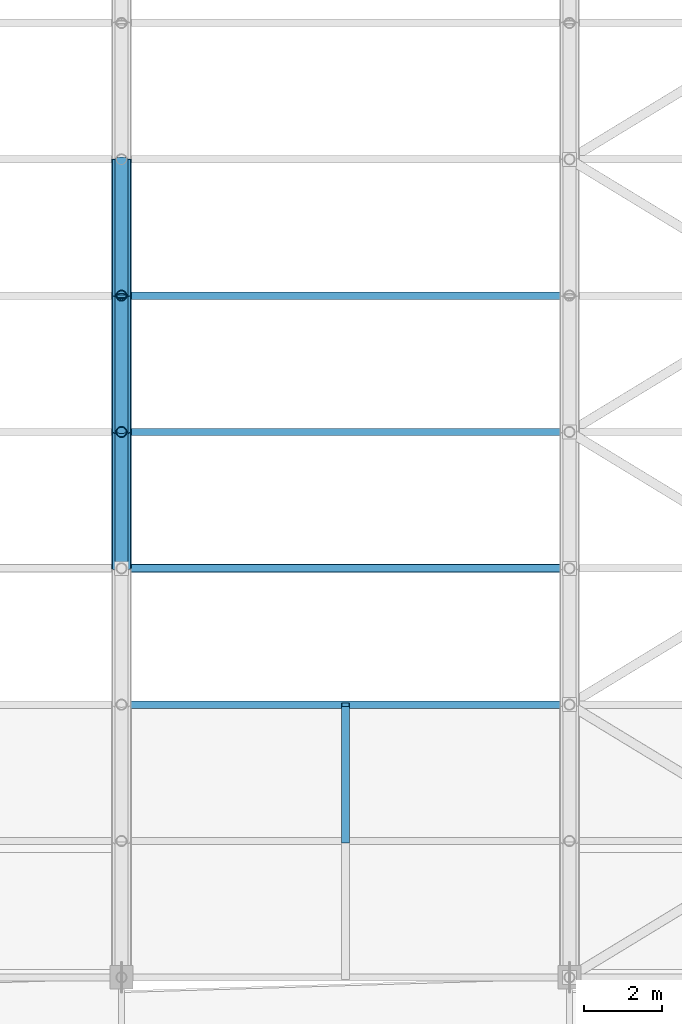
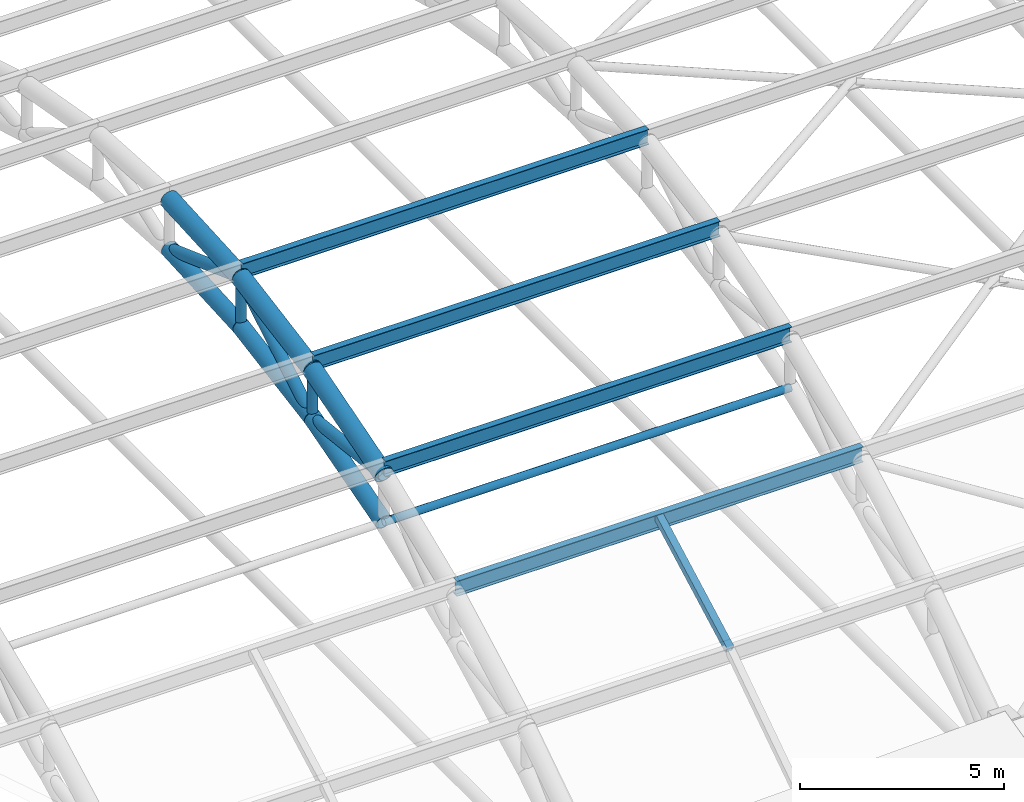
# One storey, part 98 of 154: 17 members.
"""IFC4 building model written with IfcOpenShell, lengths in metres."""

from ifc_helpers import new_model, si_unit, direction, frame, origin, origin_2d, place, context, subcontext, project, spatial, hollow_rectangle, hollow_circle, i_section, extrude, material, material_profile, profile_set, type_object, element, save


model = new_model("IFC4")

# Units and contexts
model_context = context("Model", 3, precision=1e-05, world=origin(), true_north=direction((0.0, 1.0)))
body_context = subcontext(model_context, "Body", "Model", "MODEL_VIEW")
ifc_project = project(units=[si_unit("LENGTHUNIT", "METRE"), si_unit("AREAUNIT", "SQUARE_METRE"), si_unit("VOLUMEUNIT", "CUBIC_METRE"), si_unit("PLANEANGLEUNIT", "RADIAN"), si_unit("MASSUNIT", "GRAM", prefix="KILO")], contexts=[model_context])

# Site, building, storey
site_placement = place(None, origin())
site = spatial("IfcSite", under=ifc_project, at=site_placement, CompositionType="ELEMENT")
building_placement = place(site_placement, origin())
building = spatial("IfcBuilding", under=site, at=building_placement, Name="Ologun Quay Terminus", CompositionType="ELEMENT")
storey_placement = place(building_placement, frame((0.0, 0.0, 13.800048828125)))
storey = spatial("IfcBuildingStorey", under=building, at=storey_placement, Name="L03", CompositionType="ELEMENT", Elevation=13.800048828125)

# Members
ifc_material_1 = material(Name="Steel S355", Category="steel")
ifc_material_profile_1 = material_profile(ifc_material_1, hollow_circle(Radius=0.136474609375, WallThickness=0.010009765625, at=origin_2d()), Name="CHS 273x10")
ifc_profile_set_1 = profile_set([ifc_material_profile_1], Name="Steel S355")
member_type_1 = type_object("IfcMemberType", Name="Arch Truss Vertical Post CHS273", PredefinedType="STRUT", material=ifc_profile_set_1)
member_1_placement = place(storey_placement, frame((149.5, 50.0, 6.435546875), z_axis=(0.0, 0.0, 1.0), x_axis=(1.0, 0.0, 0.0)))
element("IfcMember", 1, at=member_1_placement, inside=storey, type_object=member_type_1, Name="AW2 Arch Web Post 14-N4", PredefinedType="STRUT", context=body_context, shape_type="SweptSolid", body=[
    extrude(hollow_circle(Radius=0.136474609375, WallThickness=0.010009765625, at=origin_2d()), origin(), (0.0, 0.0, 1.0), 1.44873046875),
])
member_2_placement = place(storey_placement, frame((149.5, 53.5, 7.038818359375), z_axis=(0.0, 0.0, 1.0), x_axis=(1.0, 0.0, 0.0)))
element("IfcMember", 2, at=member_2_placement, inside=storey, type_object=member_type_1, Name="AW2 Arch Web Post 14-N5", PredefinedType="STRUT", context=body_context, shape_type="SweptSolid", body=[
    extrude(hollow_circle(Radius=0.136474609375, WallThickness=0.010009765625, at=origin_2d()), origin(), (0.0, 0.0, 1.0), 1.47216796875),
])
ifc_material_2 = material(Name="Steel S355", Category="steel")
ifc_material_profile_2 = material_profile(ifc_material_2, hollow_circle(Radius=0.161865234375, WallThickness=0.010009765625, at=origin_2d()), Name="CHS 323.9x10")
ifc_profile_set_2 = profile_set([ifc_material_profile_2], Name="Steel S355")
member_type_2 = type_object("IfcMemberType", Name="Arch Truss Web Diagonal CHS323", PredefinedType="BRACE", material=ifc_profile_set_2)
member_3_placement = place(storey_placement, frame((149.5, 46.5, 6.83984375), z_axis=(0.0, 0.993394361, -0.114750353084), x_axis=(-1.0, 0.0, 0.0)))
element("IfcMember", 3, at=member_3_placement, inside=storey, type_object=member_type_2, Name="AW1 Arch Web Diagonal 14-P4", PredefinedType="BRACE", context=body_context, shape_type="SweptSolid", body=[
    extrude(hollow_circle(Radius=0.161865234375, WallThickness=0.010009765625, at=origin_2d()), origin(), (0.0, 0.0, 1.0), 3.523193359375),
])
member_4_placement = place(storey_placement, frame((149.5, 50.0, 6.435546875), z_axis=(0.0, 0.860144332958, 0.510050709715), x_axis=(-1.0, 0.0, 0.0)))
element("IfcMember", 4, at=member_4_placement, inside=storey, type_object=member_type_2, Name="AW1 Arch Web Diagonal 14-P5", PredefinedType="BRACE", context=body_context, shape_type="SweptSolid", body=[
    extrude(hollow_circle(Radius=0.161865234375, WallThickness=0.010009765625, at=origin_2d()), origin(), (0.0, 0.0, 1.0), 4.069091796875),
])
member_5_placement = place(storey_placement, frame((149.5, 53.5, 8.510986328125), z_axis=(0.0, 0.939942650142, -0.34133241048), x_axis=(-1.0, 0.0, 0.0)))
element("IfcMember", 5, at=member_5_placement, inside=storey, type_object=member_type_2, Name="AW1 Arch Web Diagonal 14-P6", PredefinedType="BRACE", context=body_context, shape_type="SweptSolid", body=[
    extrude(hollow_circle(Radius=0.161865234375, WallThickness=0.010009765625, at=origin_2d()), origin(), (0.0, 0.0, 1.0), 3.7236328125),
])
ifc_material_3 = material(Name="Steel S355", Category="steel")
ifc_material_profile_3 = material_profile(ifc_material_3, hollow_circle(Radius=0.228515625, WallThickness=0.01611328125, at=origin_2d()), Name="CHS 457x16")
ifc_profile_set_3 = profile_set([ifc_material_profile_3], Name="Steel S355")
member_type_3 = type_object("IfcMemberType", Name="Parabolic Arch Bottom Chord CHS457", PredefinedType="CHORD", material=ifc_profile_set_3)
member_6_placement = place(storey_placement, frame((149.5, 46.5, 5.429931640625), z_axis=(0.0, 0.961115578425, 0.276146419331), x_axis=(-1.0, 0.0, 0.0)))
element("IfcMember", 6, at=member_6_placement, inside=storey, type_object=member_type_3, Name="AC2 Arch Bottom Chord 14-P4", PredefinedType="CHORD", context=body_context, shape_type="SweptSolid", body=[
    extrude(hollow_circle(Radius=0.228515625, WallThickness=0.01611328125, at=origin_2d()), origin(), (0.0, 0.0, 1.0), 3.6416015625),
])
member_7_placement = place(storey_placement, frame((149.5, 50.0, 6.435546875), z_axis=(0.0, 0.985468449185, 0.16985857547), x_axis=(-1.0, 0.0, 0.0)))
element("IfcMember", 7, at=member_7_placement, inside=storey, type_object=member_type_3, Name="AC2 Arch Bottom Chord 14-P5", PredefinedType="CHORD", context=body_context, shape_type="SweptSolid", body=[
    extrude(hollow_circle(Radius=0.228515625, WallThickness=0.01611328125, at=origin_2d()), origin(), (0.0, 0.0, 1.0), 3.551513671875),
])
member_8_placement = place(storey_placement, frame((149.5, 53.5, 7.038818359375), z_axis=(0.0, 0.998352239869, 0.057382969144), x_axis=(-1.0, 0.0, 0.0)))
element("IfcMember", 8, at=member_8_placement, inside=storey, type_object=member_type_3, Name="AC2 Arch Bottom Chord 14-P6", PredefinedType="CHORD", context=body_context, shape_type="SweptSolid", body=[
    extrude(hollow_circle(Radius=0.228515625, WallThickness=0.01611328125, at=origin_2d()), origin(), (0.0, 0.0, 1.0), 3.505859375),
])
ifc_material_4 = material(Name="Steel S355", Category="steel")
ifc_material_profile_4 = material_profile(ifc_material_4, hollow_circle(Radius=0.25390625, WallThickness=0.01611328125, at=origin_2d()), Name="CHS 508x16")
ifc_profile_set_4 = profile_set([ifc_material_profile_4], Name="Steel S355")
member_type_4 = type_object("IfcMemberType", Name="Parabolic Arch Top Chord CHS508", PredefinedType="CHORD", material=ifc_profile_set_4)
member_9_placement = place(storey_placement, frame((149.5, 46.5, 6.83984375), z_axis=(0.0, 0.958244712677, 0.285949419701), x_axis=(-1.0, 0.0, 0.0)))
element("IfcMember", 9, at=member_9_placement, inside=storey, type_object=member_type_4, Name="Arch Top Chord 14-P4", PredefinedType="CHORD", context=body_context, shape_type="SweptSolid", body=[
    extrude(hollow_circle(Radius=0.25390625, WallThickness=0.01611328125, at=origin_2d()), origin(), (0.0, 0.0, 1.0), 3.652587890625),
])
member_10_placement = place(storey_placement, frame((149.5, 50.0, 7.88427734375), z_axis=(0.0, 0.984344289591, 0.176256402859), x_axis=(-1.0, 0.0, 0.0)))
element("IfcMember", 10, at=member_10_placement, inside=storey, type_object=member_type_4, Name="Arch Top Chord 14-P5", PredefinedType="CHORD", context=body_context, shape_type="SweptSolid", body=[
    extrude(hollow_circle(Radius=0.25390625, WallThickness=0.01611328125, at=origin_2d()), origin(), (0.0, 0.0, 1.0), 3.5556640625),
])
member_11_placement = place(storey_placement, frame((149.5, 53.5, 8.510986328125), z_axis=(0.0, 0.998222121157, 0.0596036646), x_axis=(-1.0, 0.0, 0.0)))
element("IfcMember", 11, at=member_11_placement, inside=storey, type_object=member_type_4, Name="Arch Top Chord 14-P6", PredefinedType="CHORD", context=body_context, shape_type="SweptSolid", body=[
    extrude(hollow_circle(Radius=0.25390625, WallThickness=0.01611328125, at=origin_2d()), origin(), (0.0, 0.0, 1.0), 3.50634765625),
])
ifc_material_5 = material(Name="Steel S355", Category="steel")
ifc_material_profile_5 = material_profile(ifc_material_5, hollow_circle(Radius=0.109619140625, WallThickness=0.008056640625, at=origin_2d()), Name="CHS 219.1x8")
ifc_profile_set_5 = profile_set([ifc_material_profile_5], Name="Steel S355")
member_type_5 = type_object("IfcMemberType", Name="Roof Plan Wind Brace Collector CHS219", PredefinedType="STRUT", material=ifc_profile_set_5)
member_12_placement = place(storey_placement, frame((149.5, 46.5, 5.429931640625), z_axis=(1.0, 0.0, 0.0), x_axis=(0.0, 1.0, 0.0)))
element("IfcMember", 12, at=member_12_placement, inside=storey, type_object=member_type_5, Name="WB2 Collector Strut B14-K3", PredefinedType="STRUT", context=body_context, shape_type="SweptSolid", body=[
    extrude(hollow_circle(Radius=0.109619140625, WallThickness=0.008056640625, at=origin_2d()), origin(), (0.0, 0.0, 1.0), 11.5),
])
ifc_material_6 = material(Name="Steel S355", Category="steel")
ifc_material_profile_6 = material_profile(ifc_material_6, hollow_rectangle(XDim=0.199951171875, YDim=0.199951171875, WallThickness=0.008056640625, at=origin_2d()), Name="SHS 200x200x8")
ifc_profile_set_6 = profile_set([ifc_material_profile_6], Name="Steel S355")
member_type_6 = type_object("IfcMemberType", Name="Skylight Cross Transom Bar RHS150", PredefinedType="STRUT", material=ifc_profile_set_6)
member_13_placement = place(storey_placement, frame((155.25, 39.5, 3.851806640625), z_axis=(0.0, 0.880967864924, 0.473176099324), x_axis=(-1.0, 0.0, 0.0)))
element("IfcMember", 13, at=member_13_placement, inside=storey, type_object=member_type_6, Name="SK2 Eave Secondary Rafter B14-P2", PredefinedType="STRUT", context=body_context, shape_type="SweptSolid", body=[
    extrude(hollow_rectangle(XDim=0.199951171875, YDim=0.199951171875, WallThickness=0.008056640625, at=origin_2d()), origin(), (0.0, 0.0, 1.0), 3.972900390625),
])
ifc_material_7 = material(Name="Steel S355", Category="steel")
ifc_material_profile_7 = material_profile(ifc_material_7, i_section(OverallWidth=0.1904296875, OverallDepth=0.45703125, WebThickness=0.009033203125, FlangeThickness=0.014404296875, at=origin_2d()), Name="UKB 457x191x74")
ifc_profile_set_7 = profile_set([ifc_material_profile_7], Name="Steel S355")
member_type_7 = type_object("IfcMemberType", Name="Train Shed Primary Roof Purlin UKB457", PredefinedType="PURLIN", material=ifc_profile_set_7)
for number, where, z_axis, x_axis, name in (
    (14, (149.5, 43.0, 5.606201171875), (1.0, 0.0, 0.0), (0.0, 1.0, 0.0), "PR1 Roof Purlin B14-N2"),
    (15, (149.5, 46.5, 7.068359375), (1.0, 0.0, 0.0), (0.0, 1.0, 0.0), "PR1 Roof Purlin B14-N3"),
    (16, (149.5, 50.0, 8.11279296875), (1.0, 0.0, 0.0), (0.0, 1.0, 0.0), "PR1 Roof Purlin B14-N4"),
    (17, (149.5, 53.5, 8.739501953125), (1.0, 0.0, 0.0), (0.0, 1.0, 0.0), "PR1 Roof Purlin B14-N5"),
):
    element("IfcMember", number, at=place(storey_placement, frame(where, z_axis=z_axis, x_axis=x_axis)), inside=storey, type_object=member_type_7, Name=name, PredefinedType="PURLIN", context=body_context, shape_type="SweptSolid", body=[
        extrude(i_section(OverallWidth=0.1904296875, OverallDepth=0.45703125, WebThickness=0.009033203125, FlangeThickness=0.014404296875, at=origin_2d()), origin(), (0.0, 0.0, 1.0), 11.5),
    ])

save(model, "model.ifc")
